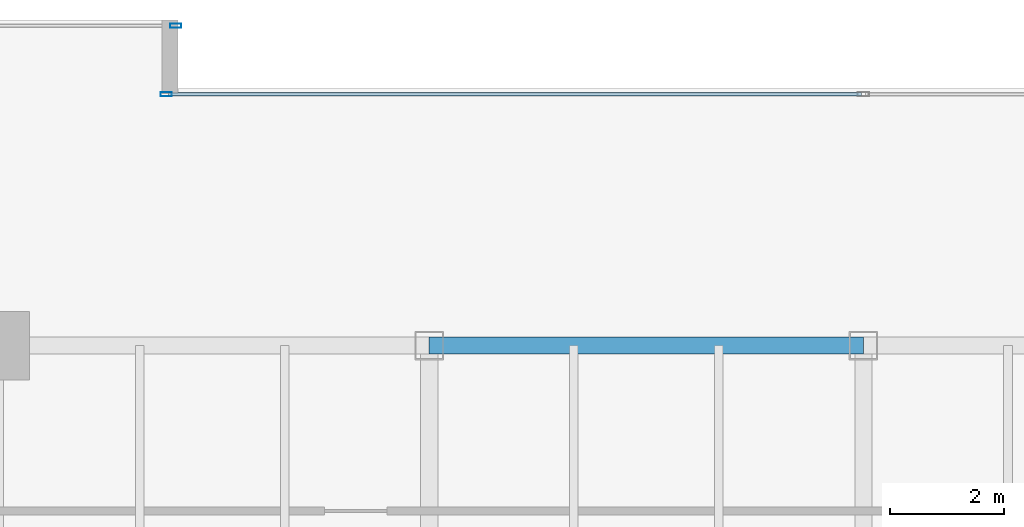
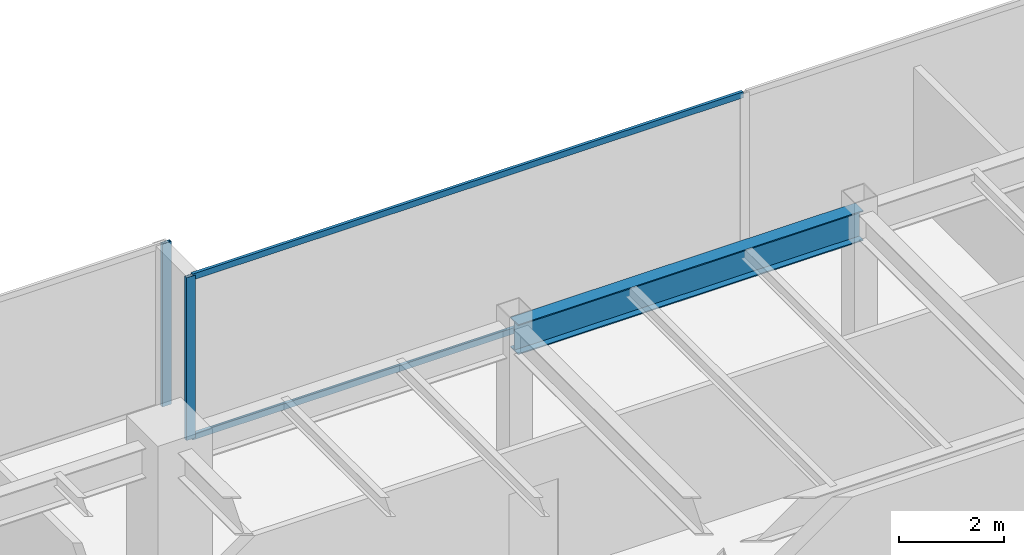
# One storey, part 16 of 30: 4 members, 1 beam, 2 elements without a shape of their own.
"""IFC4 building model written with IfcOpenShell, lengths in metres."""

from ifc_helpers import new_model, si_unit, direction, frame, origin, origin_2d, place, context, subcontext, project, spatial, hollow_rectangle, i_section, extrude, source, transform, mapped, material, layer, layer_set, material_profile, profile_set, type_object, type_shapes, element, aggregate, save


model = new_model("IFC4")

# Units and contexts
model_context = context("Model", 3, precision=1e-05, world=origin(), true_north=direction((0.0, 1.0)))
body_context = subcontext(model_context, "Body", "Model", "MODEL_VIEW")
ifc_project = project(units=[si_unit("LENGTHUNIT", "METRE"), si_unit("AREAUNIT", "SQUARE_METRE"), si_unit("VOLUMEUNIT", "CUBIC_METRE"), si_unit("PLANEANGLEUNIT", "RADIAN"), si_unit("MASSUNIT", "GRAM", prefix="KILO")], contexts=[model_context])

# Site, building, storey
site_placement = place(None, origin())
site = spatial("IfcSite", under=ifc_project, at=site_placement, CompositionType="ELEMENT")
building_placement = place(site_placement, origin())
building = spatial("IfcBuilding", under=site, at=building_placement, Name="Haelvirn Gate Laboratories", CompositionType="ELEMENT")
storey_placement = place(building_placement, frame((0.0, 0.0, 162.5)))
storey = spatial("IfcBuildingStorey", under=building, at=storey_placement, Name="L39", CompositionType="ELEMENT", Elevation=162.5)

# Beam
ifc_material_1 = material(Name="Steel SM355", Category="steel")
ifc_material_profile_1 = material_profile(ifc_material_1, i_section(OverallWidth=0.300048828125, OverallDepth=0.699951171875, WebThickness=0.012939453125, FlangeThickness=0.02392578125, at=origin_2d()), Name="H-700x300x13x24")
ifc_profile_set_1 = profile_set([ifc_material_profile_1], Name="Steel SM355")
beam_type = type_object("IfcBeamType", Name="BM-G-700", PredefinedType="BEAM", material=ifc_profile_set_1)
shared_shape_1 = source(origin(), body_context, "Body", "SweptSolid", [
    extrude(i_section(OverallWidth=0.300048828125, OverallDepth=0.699951171875, WebThickness=0.012939453125, FlangeThickness=0.02392578125, at=origin_2d()), origin(), (0.0, 0.0, 1.0), 7.599853515625),
])
type_shapes(beam_type, [shared_shape_1])
beam_placement = place(storey_placement, frame((29.800048828125, 41.60009765625, 3.43994140625), z_axis=(1.0, 0.0, 0.0), x_axis=(0.0, 1.0, 0.0)))
element("IfcBeam", 1, at=beam_placement, inside=storey, type_object=beam_type, Name="L39 Primary Girder Y41.6 (29.8-37.4)", PredefinedType="BEAM", context=body_context, shape_type="MappedRepresentation", body=[
    mapped(shared_shape_1, transform((0.0, 0.0, 0.0), scale=1.0)),
])

# Curtain wall, members
ifc_material_2 = material(Name="Anodised bronze unitised aluminium & triple low-E glass", Category="aluminium")
ifc_layer = layer(ifc_material_2, 0.179931640625, Name="CW-SYS-3")
ifc_layer_set = layer_set([ifc_layer], Name="Anodised bronze unitised aluminium & triple low-E glass")
curtain_wall_type = type_object("IfcCurtainWallType", Name="CW-SYS-3", PredefinedType="NOTDEFINED", material=ifc_layer_set)
curtain_wall_1_placement = place(storey_placement, origin())
curtain_wall_1 = element("IfcCurtainWall", 2, at=curtain_wall_1_placement, inside=storey, type_object=curtain_wall_type, Name="L39 Unitised Curtain Wall CW-L39-P0-E12-1", PredefinedType="NOTDEFINED")
ifc_material_3 = material(Name="Extruded aluminium 6063-T6 (anodised bronze)", Category="aluminium")
ifc_material_profile_2 = material_profile(ifc_material_3, hollow_rectangle(XDim=0.06494140625, YDim=0.139892578125, WallThickness=0.00390625, at=origin_2d()), Name="CWT-140x65x4")
ifc_profile_set_2 = profile_set([ifc_material_profile_2], Name="Extruded aluminium 6063-T6 (anodised bronze)")
member_type_1 = type_object("IfcMemberType", Name="CWT-T140", PredefinedType="USERDEFINED", material=ifc_profile_set_2)
shared_shape_2 = source(origin(), body_context, "Body", "SweptSolid", [
    extrude(hollow_rectangle(XDim=0.06494140625, YDim=0.139892578125, WallThickness=0.00390625, at=origin_2d()), origin(), (0.0, 0.0, 1.0), 12.12744140625),
])
type_shapes(member_type_1, [shared_shape_2])
member_1_placement = place(storey_placement, frame((25.235107421875, 46.0, 0.032470703125), z_axis=(1.0, 0.0, 0.0), x_axis=(0.0, 1.0, 0.0)))
member_1 = element("IfcMember", 3, at=member_1_placement, type_object=member_type_1, Name="CW3 transom 1.1", ObjectType="TRANSOM", PredefinedType="USERDEFINED", context=body_context, shape_type="MappedRepresentation", body=[
    mapped(shared_shape_2, transform((0.0, 0.0, 0.0), scale=1.0)),
])
member_2_placement = place(storey_placement, frame((25.235107421875, 46.0, 3.757568359375), z_axis=(1.0, 0.0, 0.0), x_axis=(0.0, 1.0, 0.0)))
member_2 = element("IfcMember", 4, at=member_2_placement, type_object=member_type_1, Name="CW3 transom 1.2", ObjectType="TRANSOM", PredefinedType="USERDEFINED", context=body_context, shape_type="MappedRepresentation", body=[
    mapped(shared_shape_2, transform((0.0, 0.0, 0.0), scale=1.0)),
])
ifc_material_profile_3 = material_profile(ifc_material_3, hollow_rectangle(XDim=0.074951171875, YDim=0.199951171875, WallThickness=0.0048828125, at=origin_2d()), Name="CWM-200x75x5")
ifc_profile_set_3 = profile_set([ifc_material_profile_3], Name="Extruded aluminium 6063-T6 (anodised bronze)")
member_type_2 = type_object("IfcMemberType", Name="CWM-T200", PredefinedType="MULLION", material=ifc_profile_set_3)
shared_shape_3 = source(origin(), body_context, "Body", "SweptSolid", [
    extrude(hollow_rectangle(XDim=0.074951171875, YDim=0.199951171875, WallThickness=0.0048828125, at=origin_2d()), origin(), (0.0, 0.0, 1.0), 3.7900390625),
])
type_shapes(member_type_2, [shared_shape_3])
member_3_placement = place(storey_placement, frame((25.197509765625, 46.0, 0.0), z_axis=(0.0, 0.0, 1.0), x_axis=(0.0, 1.0, 0.0)))
member_3 = element("IfcMember", 5, at=member_3_placement, type_object=member_type_2, Name="CW3 mullion 1", PredefinedType="MULLION", context=body_context, shape_type="MappedRepresentation", body=[
    mapped(shared_shape_3, transform((0.0, 0.0, 0.0), scale=1.0)),
])
aggregate(curtain_wall_1, [member_3, member_1, member_2])

# Curtain wall, member
curtain_wall_2_placement = place(storey_placement, origin())
curtain_wall_2 = element("IfcCurtainWall", 6, at=curtain_wall_2_placement, inside=storey, type_object=curtain_wall_type, Name="L39 Unitised Curtain Wall CW-L39-P0-E14-1", PredefinedType="NOTDEFINED")
member_4_placement = place(storey_placement, frame((25.362548828125, 47.199951171875, 0.0), z_axis=(0.0, 0.0, 1.0), x_axis=(0.0, 1.0, 0.0)))
member_4 = element("IfcMember", 7, at=member_4_placement, type_object=member_type_2, Name="CW3 mullion 3", PredefinedType="MULLION", context=body_context, shape_type="MappedRepresentation", body=[
    mapped(shared_shape_3, transform((0.0, 0.0, 0.0), scale=1.0)),
])
aggregate(curtain_wall_2, [member_4])

save(model, "model.ifc")
